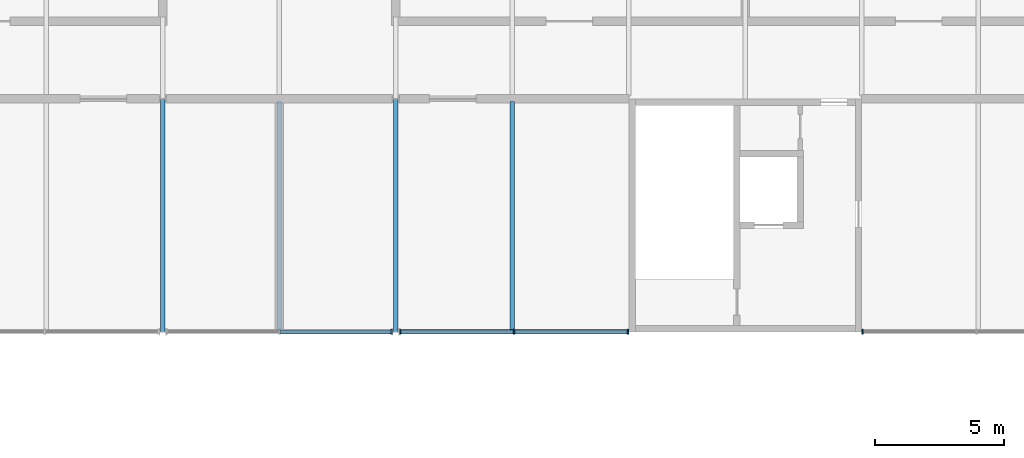
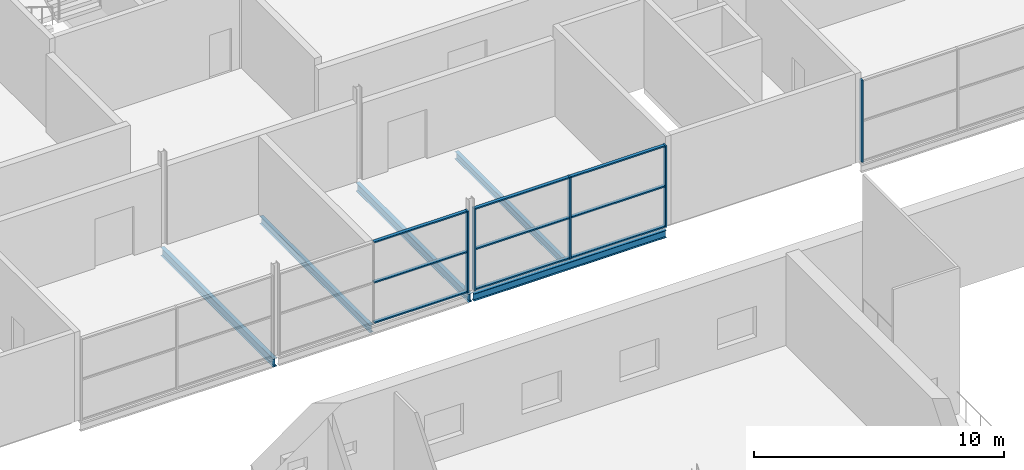
# One storey, part 69 of 138: 14 members, 5 beams, 3 elements without a shape of their own.
"""IFC4 building model written with IfcOpenShell, lengths in metres."""

from ifc_helpers import new_model, si_unit, direction, frame, origin, origin_2d, place, context, subcontext, project, spatial, rectangle, i_section, extrude, material, layer, layer_set, material_profile, profile_set, type_object, element, aggregate, save


model = new_model("IFC4")

# Units and contexts
model_context = context("Model", 3, precision=1e-05, world=origin(), true_north=direction((0.0, 1.0)))
body_context = subcontext(model_context, "Body", "Model", "MODEL_VIEW")
ifc_project = project(units=[si_unit("LENGTHUNIT", "METRE"), si_unit("AREAUNIT", "SQUARE_METRE"), si_unit("VOLUMEUNIT", "CUBIC_METRE"), si_unit("PLANEANGLEUNIT", "RADIAN"), si_unit("MASSUNIT", "GRAM", prefix="KILO")], contexts=[model_context])

# Site, building, storey
site_placement = place(None, origin())
site = spatial("IfcSite", under=ifc_project, at=site_placement, CompositionType="ELEMENT")
building_placement = place(site_placement, origin())
building = spatial("IfcBuilding", under=site, at=building_placement, Name="Corbel Yard City Hall", CompositionType="ELEMENT")
storey_placement = place(building_placement, frame((0.0, 0.0, 10.5)))
storey = spatial("IfcBuildingStorey", under=building, at=storey_placement, Name="L02", CompositionType="ELEMENT", Elevation=10.5)

# Beams
ifc_material_1 = material(Name="Steel Grade 300 (300 MPa yield)", Category="steel")
ifc_material_profile_1 = material_profile(ifc_material_1, i_section(OverallWidth=0.177978515625, OverallDepth=0.403076171875, WebThickness=0.007568359375, FlangeThickness=0.010986328125, at=origin_2d()), Name="410UB53.7")
ifc_profile_set_1 = profile_set([ifc_material_profile_1], Name="Steel Grade 300 (300 MPa yield)")
beam_type_1 = type_object("IfcBeamType", Name="Beam 410UB53.7", PredefinedType="BEAM", material=ifc_profile_set_1)
for number, where, z_axis, x_axis, name in (
    (1, (99.0, 90.00537109375, -0.3515625), (0.0, 1.0, 0.0), (-1.0, 0.0, 0.0), "Beam 410UB53.7 SB6 L02floor"),
    (2, (108.0, 90.00537109375, -0.3515625), (0.0, 1.0, 0.0), (-1.0, 0.0, 0.0), "Beam 410UB53.7 SB6 L02floor"),
):
    element("IfcBeam", number, at=place(storey_placement, frame(where, z_axis=z_axis, x_axis=x_axis)), inside=storey, type_object=beam_type_1, Name=name, PredefinedType="BEAM", context=body_context, shape_type="SweptSolid", body=[
        extrude(i_section(OverallWidth=0.177978515625, OverallDepth=0.403076171875, WebThickness=0.007568359375, FlangeThickness=0.010986328125, at=origin_2d()), origin(), (0.0, 0.0, 1.0), 8.98876953125),
    ])
ifc_material_profile_2 = material_profile(ifc_material_1, i_section(OverallWidth=0.172119140625, OverallDepth=0.35888671875, WebThickness=0.008056640625, FlangeThickness=0.012939453125, at=origin_2d()), Name="360UB56.7")
ifc_profile_set_2 = profile_set([ifc_material_profile_2], Name="Steel Grade 300 (300 MPa yield)")
beam_type_2 = type_object("IfcBeamType", Name="Edge beam 360UB56.7", PredefinedType="BEAM", material=ifc_profile_set_2)
beam_placement = place(storey_placement, frame((108.1298828125, 90.0, -0.32958984375), z_axis=(1.0, 0.0, 0.0), x_axis=(0.0, 1.0, 0.0)))
element("IfcBeam", 3, at=beam_placement, inside=storey, type_object=beam_type_2, Name="Edge beam 360UB56.7 EB4 L02floor", PredefinedType="BEAM", context=body_context, shape_type="SweptSolid", body=[
    extrude(i_section(OverallWidth=0.172119140625, OverallDepth=0.35888671875, WebThickness=0.008056640625, FlangeThickness=0.012939453125, at=origin_2d()), origin(), (0.0, 0.0, 1.0), 8.8701171875),
])

# Curtain wall, member
ifc_material_2 = material(Name="Aluminium extrusion", Category="aluminium")
ifc_layer = layer(ifc_material_2, 0.199951171875)
ifc_layer_set = layer_set([ifc_layer], Name="Aluminium extrusion")
curtain_wall_type = type_object("IfcCurtainWallType", Name="CW1", PredefinedType="USERDEFINED", material=ifc_layer_set)
curtain_wall_1_placement = place(storey_placement, origin())
curtain_wall_1 = element("IfcCurtainWall", 4, at=curtain_wall_1_placement, inside=storey, type_object=curtain_wall_type, Name="Curtain wall CW1 L02", ObjectType="CURTAIN WALL", PredefinedType="USERDEFINED")
ifc_material_profile_3 = material_profile(ifc_material_2, rectangle(XDim=0.199951171875, YDim=0.06494140625, at=origin_2d()), Name="200x65")
ifc_profile_set_3 = profile_set([ifc_material_profile_3], Name="Aluminium extrusion")
member_type_1 = type_object("IfcMemberType", Name="ML1", PredefinedType="MULLION", material=ifc_profile_set_3)
member_1_placement = place(storey_placement, frame((107.840576171875, 90.0, 0.0), z_axis=(0.0, 0.0, 1.0), x_axis=(0.0, 1.0, 0.0)))
member_1 = element("IfcMember", 5, at=member_1_placement, type_object=member_type_1, Name="CW1 mullion 3", PredefinedType="MULLION", context=body_context, shape_type="SweptSolid", body=[
    extrude(rectangle(XDim=0.199951171875, YDim=0.06494140625, at=origin_2d()), origin(), (0.0, 0.0, 1.0), 3.990966796875),
])

# Curtain wall, members
curtain_wall_2_placement = place(storey_placement, origin())
curtain_wall_2 = element("IfcCurtainWall", 6, at=curtain_wall_2_placement, inside=storey, type_object=curtain_wall_type, Name="Curtain wall CW1 L02", ObjectType="CURTAIN WALL", PredefinedType="USERDEFINED")
member_2_placement = place(storey_placement, frame((108.159423828125, 90.0, 0.0), z_axis=(0.0, 0.0, 1.0), x_axis=(0.0, 1.0, 0.0)))
member_2 = element("IfcMember", 7, at=member_2_placement, type_object=member_type_1, Name="CW1 mullion 1", PredefinedType="MULLION", context=body_context, shape_type="SweptSolid", body=[
    extrude(rectangle(XDim=0.199951171875, YDim=0.06494140625, at=origin_2d()), origin(), (0.0, 0.0, 1.0), 3.990966796875),
])
member_3_placement = place(storey_placement, frame((112.5634765625, 90.0, 0.0), z_axis=(0.0, 0.0, 1.0), x_axis=(0.0, 1.0, 0.0)))
member_3 = element("IfcMember", 8, at=member_3_placement, type_object=member_type_1, Name="CW1 mullion 2", PredefinedType="MULLION", context=body_context, shape_type="SweptSolid", body=[
    extrude(rectangle(XDim=0.199951171875, YDim=0.06494140625, at=origin_2d()), origin(), (0.0, 0.0, 1.0), 3.990966796875),
])
member_4_placement = place(storey_placement, frame((116.967529296875, 90.0, 0.0), z_axis=(0.0, 0.0, 1.0), x_axis=(0.0, 1.0, 0.0)))
member_4 = element("IfcMember", 9, at=member_4_placement, type_object=member_type_1, Name="CW1 mullion 3", PredefinedType="MULLION", context=body_context, shape_type="SweptSolid", body=[
    extrude(rectangle(XDim=0.199951171875, YDim=0.06494140625, at=origin_2d()), origin(), (0.0, 0.0, 1.0), 3.990966796875),
])

# Curtain wall, member
curtain_wall_3_placement = place(storey_placement, origin())
curtain_wall_3 = element("IfcCurtainWall", 10, at=curtain_wall_3_placement, inside=storey, type_object=curtain_wall_type, Name="Curtain wall CW1 L02", ObjectType="CURTAIN WALL", PredefinedType="USERDEFINED")
member_5_placement = place(storey_placement, frame((126.032470703125, 90.0, 0.0), z_axis=(0.0, 0.0, 1.0), x_axis=(0.0, 1.0, 0.0)))
member_5 = element("IfcMember", 11, at=member_5_placement, type_object=member_type_1, Name="CW1 mullion 1", PredefinedType="MULLION", context=body_context, shape_type="SweptSolid", body=[
    extrude(rectangle(XDim=0.199951171875, YDim=0.06494140625, at=origin_2d()), origin(), (0.0, 0.0, 1.0), 3.990966796875),
])
aggregate(curtain_wall_3, [member_5])

# Beams
ifc_material_profile_4 = material_profile(ifc_material_1, i_section(OverallWidth=0.1708984375, OverallDepth=0.35595703125, WebThickness=0.00732421875, FlangeThickness=0.011474609375, at=origin_2d()), Name="360UB50.7")
ifc_profile_set_4 = profile_set([ifc_material_profile_4], Name="Steel Grade 300 (300 MPa yield)")
beam_type_3 = type_object("IfcBeamType", Name="Secondary beam 360UB50.7", PredefinedType="JOIST", material=ifc_profile_set_4)
for number, where, z_axis, x_axis, name in (
    (12, (103.5, 90.0859375, -0.327880859375), (0.0, 1.0, 0.0), (-1.0, 0.0, 0.0), "Secondary beam 360UB50.7 SB10 L02floor"),
    (13, (112.5, 90.0859375, -0.327880859375), (0.0, 1.0, 0.0), (-1.0, 0.0, 0.0), "Secondary beam 360UB50.7 SB10 L02floor"),
):
    element("IfcBeam", number, at=place(storey_placement, frame(where, z_axis=z_axis, x_axis=x_axis)), inside=storey, type_object=beam_type_3, Name=name, PredefinedType="JOIST", context=body_context, shape_type="SweptSolid", body=[
        extrude(i_section(OverallWidth=0.1708984375, OverallDepth=0.35595703125, WebThickness=0.00732421875, FlangeThickness=0.011474609375, at=origin_2d()), origin(), (0.0, 0.0, 1.0), 8.8095703125),
    ])

# Member
ifc_material_profile_5 = material_profile(ifc_material_2, rectangle(XDim=0.14990234375, YDim=0.06494140625, at=origin_2d()), Name="150x65")
ifc_profile_set_5 = profile_set([ifc_material_profile_5], Name="Aluminium extrusion")
member_type_2 = type_object("IfcMemberType", Name="TR1", PredefinedType="USERDEFINED", material=ifc_profile_set_5)
member_6_placement = place(storey_placement, frame((103.532470703125, 90.0, 0.032470703125), z_axis=(1.0, 0.0, 0.0), x_axis=(0.0, 1.0, 0.0)))
member_6 = element("IfcMember", 14, at=member_6_placement, type_object=member_type_2, Name="CW1 transom 2.1", ObjectType="TRANSOM", PredefinedType="USERDEFINED", context=body_context, shape_type="SweptSolid", body=[
    extrude(rectangle(XDim=0.14990234375, YDim=0.06494140625, at=origin_2d()), origin(), (0.0, 0.0, 1.0), 4.275634765625),
])

member_7_placement = place(storey_placement, frame((103.532470703125, 90.0, 1.99560546875), z_axis=(1.0, 0.0, 0.0), x_axis=(0.0, 1.0, 0.0)))
member_7 = element("IfcMember", 15, at=member_7_placement, type_object=member_type_2, Name="CW1 transom 2.2", ObjectType="TRANSOM", PredefinedType="USERDEFINED", context=body_context, shape_type="SweptSolid", body=[
    extrude(rectangle(XDim=0.14990234375, YDim=0.06494140625, at=origin_2d()), origin(), (0.0, 0.0, 1.0), 4.275634765625),
])

member_8_placement = place(storey_placement, frame((103.532470703125, 90.0, 3.95849609375), z_axis=(1.0, 0.0, 0.0), x_axis=(0.0, 1.0, 0.0)))
member_8 = element("IfcMember", 16, at=member_8_placement, type_object=member_type_2, Name="CW1 transom 2.3", ObjectType="TRANSOM", PredefinedType="USERDEFINED", context=body_context, shape_type="SweptSolid", body=[
    extrude(rectangle(XDim=0.14990234375, YDim=0.06494140625, at=origin_2d()), origin(), (0.0, 0.0, 1.0), 4.275634765625),
])

aggregate(curtain_wall_1, [member_1, member_6, member_7, member_8])

member_9_placement = place(storey_placement, frame((108.19189453125, 90.0, 0.032470703125), z_axis=(1.0, 0.0, 0.0), x_axis=(0.0, 1.0, 0.0)))
member_9 = element("IfcMember", 17, at=member_9_placement, type_object=member_type_2, Name="CW1 transom 1.1", ObjectType="TRANSOM", PredefinedType="USERDEFINED", context=body_context, shape_type="SweptSolid", body=[
    extrude(rectangle(XDim=0.14990234375, YDim=0.06494140625, at=origin_2d()), origin(), (0.0, 0.0, 1.0), 4.339111328125),
])

member_10_placement = place(storey_placement, frame((108.19189453125, 90.0, 1.99560546875), z_axis=(1.0, 0.0, 0.0), x_axis=(0.0, 1.0, 0.0)))
member_10 = element("IfcMember", 18, at=member_10_placement, type_object=member_type_2, Name="CW1 transom 1.2", ObjectType="TRANSOM", PredefinedType="USERDEFINED", context=body_context, shape_type="SweptSolid", body=[
    extrude(rectangle(XDim=0.14990234375, YDim=0.06494140625, at=origin_2d()), origin(), (0.0, 0.0, 1.0), 4.339111328125),
])

member_11_placement = place(storey_placement, frame((108.19189453125, 90.0, 3.95849609375), z_axis=(1.0, 0.0, 0.0), x_axis=(0.0, 1.0, 0.0)))
member_11 = element("IfcMember", 19, at=member_11_placement, type_object=member_type_2, Name="CW1 transom 1.3", ObjectType="TRANSOM", PredefinedType="USERDEFINED", context=body_context, shape_type="SweptSolid", body=[
    extrude(rectangle(XDim=0.14990234375, YDim=0.06494140625, at=origin_2d()), origin(), (0.0, 0.0, 1.0), 4.339111328125),
])

member_12_placement = place(storey_placement, frame((112.595947265625, 90.0, 0.032470703125), z_axis=(1.0, 0.0, 0.0), x_axis=(0.0, 1.0, 0.0)))
member_12 = element("IfcMember", 20, at=member_12_placement, type_object=member_type_2, Name="CW1 transom 2.1", ObjectType="TRANSOM", PredefinedType="USERDEFINED", context=body_context, shape_type="SweptSolid", body=[
    extrude(rectangle(XDim=0.14990234375, YDim=0.06494140625, at=origin_2d()), origin(), (0.0, 0.0, 1.0), 4.339111328125),
])

member_13_placement = place(storey_placement, frame((112.595947265625, 90.0, 1.99560546875), z_axis=(1.0, 0.0, 0.0), x_axis=(0.0, 1.0, 0.0)))
member_13 = element("IfcMember", 21, at=member_13_placement, type_object=member_type_2, Name="CW1 transom 2.2", ObjectType="TRANSOM", PredefinedType="USERDEFINED", context=body_context, shape_type="SweptSolid", body=[
    extrude(rectangle(XDim=0.14990234375, YDim=0.06494140625, at=origin_2d()), origin(), (0.0, 0.0, 1.0), 4.339111328125),
])

member_14_placement = place(storey_placement, frame((112.595947265625, 90.0, 3.95849609375), z_axis=(1.0, 0.0, 0.0), x_axis=(0.0, 1.0, 0.0)))
member_14 = element("IfcMember", 22, at=member_14_placement, type_object=member_type_2, Name="CW1 transom 2.3", ObjectType="TRANSOM", PredefinedType="USERDEFINED", context=body_context, shape_type="SweptSolid", body=[
    extrude(rectangle(XDim=0.14990234375, YDim=0.06494140625, at=origin_2d()), origin(), (0.0, 0.0, 1.0), 4.339111328125),
])

aggregate(curtain_wall_2, [member_2, member_3, member_4, member_9, member_10, member_11, member_12, member_13, member_14])

save(model, "model.ifc")
